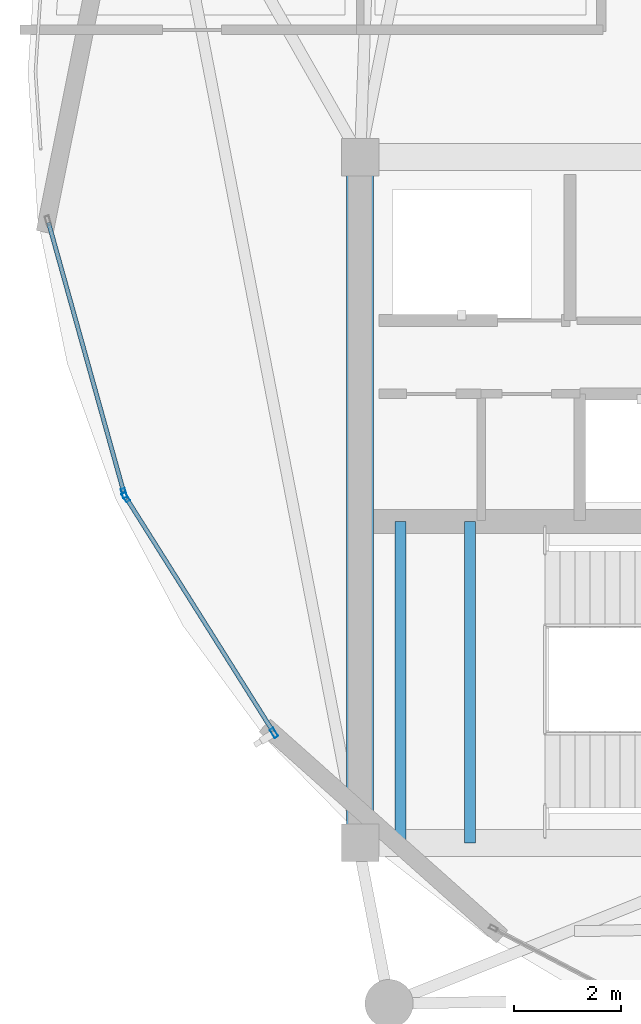
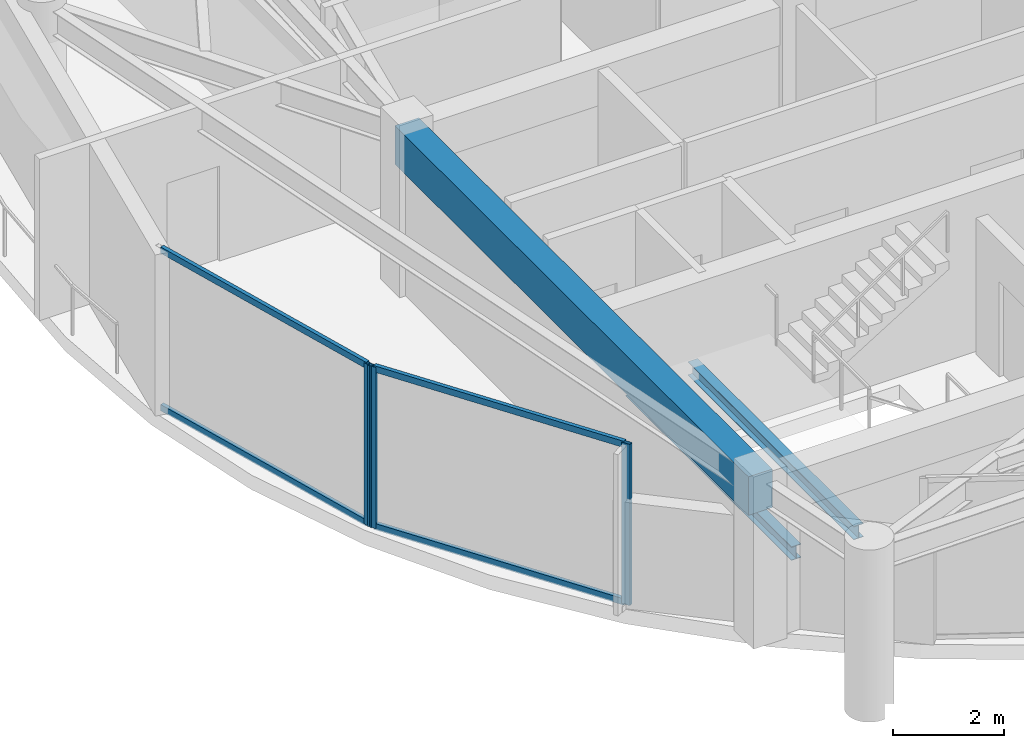
# One storey, part 3 of 29: 7 members, 3 beams, 2 elements without a shape of their own.
"""IFC4 building model written with IfcOpenShell, lengths in metres."""

from ifc_helpers import new_model, si_unit, direction, frame, origin, origin_2d, place, context, subcontext, project, spatial, rectangle, hollow_rectangle, i_section, extrude, material, layer, layer_set, material_profile, profile_set, type_object, element, aggregate, save


model = new_model("IFC4")

# Units and contexts
model_context = context("Model", 3, precision=1e-05, world=origin(), true_north=direction((0.0, 1.0)))
body_context = subcontext(model_context, "Body", "Model", "MODEL_VIEW")
ifc_project = project(units=[si_unit("LENGTHUNIT", "METRE"), si_unit("AREAUNIT", "SQUARE_METRE"), si_unit("VOLUMEUNIT", "CUBIC_METRE"), si_unit("PLANEANGLEUNIT", "RADIAN"), si_unit("MASSUNIT", "GRAM", prefix="KILO")], contexts=[model_context])

# Site, building, storey
site_placement = place(None, origin())
site = spatial("IfcSite", under=ifc_project, at=site_placement, CompositionType="ELEMENT")
building_placement = place(site_placement, origin())
building = spatial("IfcBuilding", under=site, at=building_placement, Name="Kazevale Care Tower and Concert Hall", CompositionType="ELEMENT")
storey_placement = place(building_placement, frame((0.0, 0.0, 281.39990234375)))
storey = spatial("IfcBuildingStorey", under=building, at=storey_placement, Name="L74", CompositionType="ELEMENT", Elevation=281.39990234375)

# Curtain wall, members
ifc_material_1 = material(Name="Aluminium 6063-T6 and Low-E Glass", Category="aluminium")
ifc_layer = layer(ifc_material_1, 0.179931640625)
ifc_layer_set = layer_set([ifc_layer], Name="Aluminium 6063-T6 and Low-E Glass")
curtain_wall_type = type_object("IfcCurtainWallType", Name="Waist & Upper Residential Curtain Wall CW-4", PredefinedType="NOTDEFINED", material=ifc_layer_set)
curtain_wall_1_placement = place(storey_placement, origin())
curtain_wall_1 = element("IfcCurtainWall", 1, at=curtain_wall_1_placement, inside=storey, type_object=curtain_wall_type, Name="cw:L74:f11", PredefinedType="NOTDEFINED")
ifc_material_2 = material(Name="Aluminium 6063-T6", Category="aluminium")
ifc_material_profile_1 = material_profile(ifc_material_2, hollow_rectangle(XDim=0.080078125, YDim=0.179931640625, WallThickness=0.0048828125, at=origin_2d()), Name="ALU80x180x5")
ifc_profile_set_1 = profile_set([ifc_material_profile_1], Name="Aluminium 6063-T6")
member_type_1 = type_object("IfcMemberType", Name="CW-4 Mullion ALU80x180x5", PredefinedType="MULLION", material=ifc_profile_set_1)
member_1_placement = place(storey_placement, frame((20.3916015625, 25.65087890625, 0.0), z_axis=(0.0, 0.0, 1.0), x_axis=(-0.846697503152, -0.532074560711, 0.0)))
member_1 = element("IfcMember", 2, at=member_1_placement, type_object=member_type_1, Name="CW-4 mullion 1", PredefinedType="MULLION", context=body_context, shape_type="SweptSolid", body=[
    extrude(hollow_rectangle(XDim=0.080078125, YDim=0.179931640625, WallThickness=0.0048828125, at=origin_2d()), origin(), (0.0, 0.0, 1.0), 3.56005859375),
])
member_2_placement = place(storey_placement, frame((17.625244140625, 30.05322265625, 0.0), z_axis=(0.0, 0.0, 1.0), x_axis=(-0.846697503152, -0.532074560711, 0.0)))
member_2 = element("IfcMember", 3, at=member_2_placement, type_object=member_type_1, Name="CW-4 mullion 2", PredefinedType="MULLION", context=body_context, shape_type="SweptSolid", body=[
    extrude(hollow_rectangle(XDim=0.080078125, YDim=0.179931640625, WallThickness=0.0048828125, at=origin_2d()), origin(), (0.0, 0.0, 1.0), 3.56005859375),
])

# Curtain wall, member
curtain_wall_2_placement = place(storey_placement, origin())
curtain_wall_2 = element("IfcCurtainWall", 4, at=curtain_wall_2_placement, inside=storey, type_object=curtain_wall_type, Name="cw:L74:f12", PredefinedType="NOTDEFINED")
member_3_placement = place(storey_placement, frame((17.59326171875, 30.12548828125, 0.0), z_axis=(0.0, 0.0, 1.0), x_axis=(-0.963194056491, -0.268807011704, 0.0)))
member_3 = element("IfcMember", 5, at=member_3_placement, type_object=member_type_1, Name="CW-4 mullion 1", PredefinedType="MULLION", context=body_context, shape_type="SweptSolid", body=[
    extrude(hollow_rectangle(XDim=0.080078125, YDim=0.179931640625, WallThickness=0.0048828125, at=origin_2d()), origin(), (0.0, 0.0, 1.0), 3.56005859375),
])

# Member
ifc_material_profile_2 = material_profile(ifc_material_2, hollow_rectangle(XDim=0.080078125, YDim=0.139892578125, WallThickness=0.00390625, at=origin_2d()), Name="ALU80x140x4")
ifc_profile_set_2 = profile_set([ifc_material_profile_2], Name="Aluminium 6063-T6")
member_type_2 = type_object("IfcMemberType", Name="CW-4 Transom ALU80x140x4", PredefinedType="USERDEFINED", material=ifc_profile_set_2)
member_4_placement = place(storey_placement, frame((20.370361328125, 25.684814453125, 0.0400390625), z_axis=(-0.532080710127, 0.846693638756, 0.0), x_axis=(-0.846693638756, -0.532080710127, 0.0)))
member_4 = element("IfcMember", 6, at=member_4_placement, type_object=member_type_2, Name="CW-4 transom 1.1", ObjectType="TRANSOM", PredefinedType="USERDEFINED", context=body_context, shape_type="SweptSolid", body=[
    extrude(hollow_rectangle(XDim=0.080078125, YDim=0.139892578125, WallThickness=0.00390625, at=origin_2d()), origin(), (0.0, 0.0, 1.0), 5.119384765625),
])

member_5_placement = place(storey_placement, frame((20.370361328125, 25.684814453125, 3.52001953125), z_axis=(-0.532080710127, 0.846693638756, 0.0), x_axis=(-0.846693638756, -0.532080710127, 0.0)))
member_5 = element("IfcMember", 7, at=member_5_placement, type_object=member_type_2, Name="CW-4 transom 1.2", ObjectType="TRANSOM", PredefinedType="USERDEFINED", context=body_context, shape_type="SweptSolid", body=[
    extrude(hollow_rectangle(XDim=0.080078125, YDim=0.139892578125, WallThickness=0.00390625, at=origin_2d()), origin(), (0.0, 0.0, 1.0), 5.119384765625),
])

aggregate(curtain_wall_1, [member_1, member_2, member_4, member_5])

member_6_placement = place(storey_placement, frame((17.58251953125, 30.1640625, 0.0400390625), z_axis=(-0.268792895196, 0.963197995997, 0.0), x_axis=(-0.963197995997, -0.268792895196, 0.0)))
member_6 = element("IfcMember", 8, at=member_6_placement, type_object=member_type_2, Name="CW-4 transom 1.1", ObjectType="TRANSOM", PredefinedType="USERDEFINED", context=body_context, shape_type="SweptSolid", body=[
    extrude(hollow_rectangle(XDim=0.080078125, YDim=0.139892578125, WallThickness=0.00390625, at=origin_2d()), origin(), (0.0, 0.0, 1.0), 5.20458984375),
])

member_7_placement = place(storey_placement, frame((17.58251953125, 30.1640625, 3.52001953125), z_axis=(-0.268792895196, 0.963197995997, 0.0), x_axis=(-0.963197995997, -0.268792895196, 0.0)))
member_7 = element("IfcMember", 9, at=member_7_placement, type_object=member_type_2, Name="CW-4 transom 1.2", ObjectType="TRANSOM", PredefinedType="USERDEFINED", context=body_context, shape_type="SweptSolid", body=[
    extrude(hollow_rectangle(XDim=0.080078125, YDim=0.139892578125, WallThickness=0.00390625, at=origin_2d()), origin(), (0.0, 0.0, 1.0), 5.20458984375),
])

aggregate(curtain_wall_2, [member_3, member_6, member_7])

# Beams
ifc_material_3 = material(Name="Concrete C60", Category="concrete")
ifc_material_profile_3 = material_profile(ifc_material_3, rectangle(XDim=0.5, YDim=0.85009765625, at=origin_2d()), Name="RC-B500x850")
ifc_profile_set_3 = profile_set([ifc_material_profile_3], Name="Concrete C60")
beam_type_1 = type_object("IfcBeamType", Name="Core Coupling Beam RC500x850", PredefinedType="LINTEL", material=ifc_profile_set_3)
beam_placement = place(storey_placement, frame((22.0, 36.39990234375, 3.135009765625), z_axis=(0.0, -1.0, 0.0), x_axis=(1.0, 0.0, 0.0)))
element("IfcBeam", 10, at=beam_placement, inside=storey, type_object=beam_type_1, Name="beam:L74:coretie:8", PredefinedType="LINTEL", context=body_context, shape_type="SweptSolid", body=[
    extrude(rectangle(XDim=0.5, YDim=0.85009765625, at=origin_2d()), origin(), (0.0, 0.0, 1.0), 12.7998046875),
])
ifc_material_4 = material(Name="Steel ASTM A572 Gr 50", Category="steel")
ifc_material_profile_4 = material_profile(ifc_material_4, i_section(OverallWidth=0.202880859375, OverallDepth=0.302978515625, WebThickness=0.007568359375, FlangeThickness=0.01318359375, at=origin_2d()), Name="W310x60")
ifc_profile_set_4 = profile_set([ifc_material_profile_4], Name="Steel ASTM A572 Gr 50")
beam_type_2 = type_object("IfcBeamType", Name="Stair & Balcony Trimmer W310x60", PredefinedType="BEAM", material=ifc_profile_set_4)
for number, where, z_axis, x_axis, name in (
    (11, (22.75, 23.60009765625, 1.548583984375), (0.0, 1.0, 0.0), (-1.0, 0.0, 0.0), "beam:L74:sttrim:ST1"),
    (12, (24.050048828125, 23.60009765625, 1.548583984375), (0.0, 1.0, 0.0), (-1.0, 0.0, 0.0), "beam:L74:sttrim:ST1b"),
):
    element("IfcBeam", number, at=place(storey_placement, frame(where, z_axis=z_axis, x_axis=x_axis)), inside=storey, type_object=beam_type_2, Name=name, PredefinedType="BEAM", context=body_context, shape_type="SweptSolid", body=[
        extrude(i_section(OverallWidth=0.202880859375, OverallDepth=0.302978515625, WebThickness=0.007568359375, FlangeThickness=0.01318359375, at=origin_2d()), origin(), (0.0, 0.0, 1.0), 6.0),
    ])

save(model, "model.ifc")
